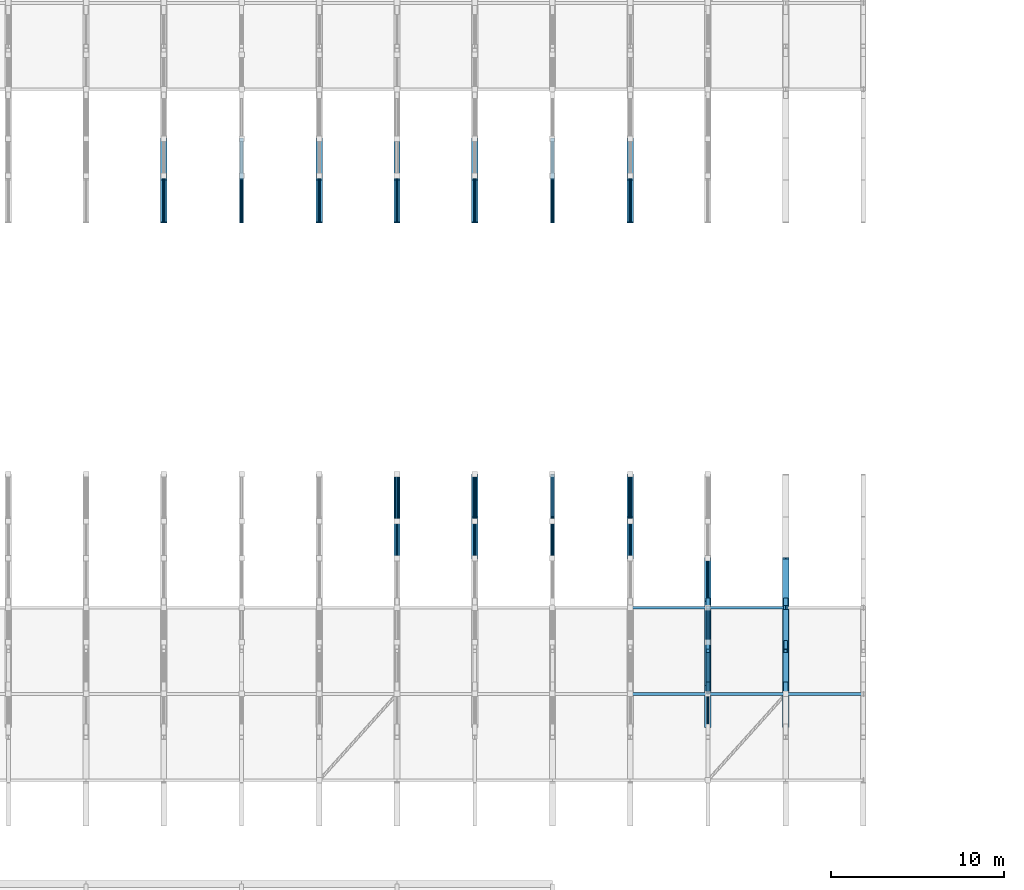
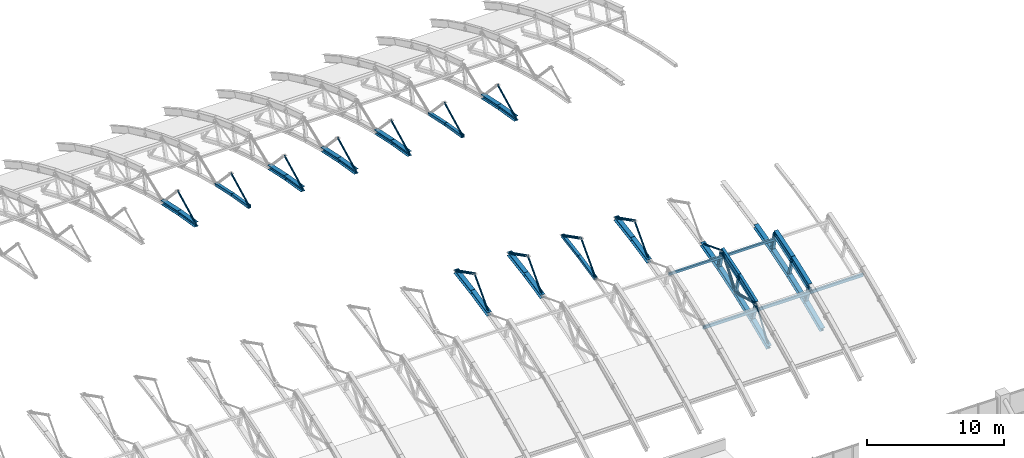
# One storey, part 67 of 103: 60 members, 4 beams.
"""IFC4 building model written with IfcOpenShell, lengths in metres."""

from ifc_helpers import new_model, si_unit, direction, frame, origin, origin_2d, place, context, subcontext, project, spatial, hollow_rectangle, hollow_circle, i_section, extrude, material, material_profile, profile_set, type_object, element, save


model = new_model("IFC4")

# Units and contexts
model_context = context("Model", 3, precision=1e-05, world=origin(), true_north=direction((0.0, 1.0)))
body_context = subcontext(model_context, "Body", "Model", "MODEL_VIEW")
ifc_project = project(units=[si_unit("LENGTHUNIT", "METRE"), si_unit("AREAUNIT", "SQUARE_METRE"), si_unit("VOLUMEUNIT", "CUBIC_METRE"), si_unit("PLANEANGLEUNIT", "RADIAN"), si_unit("MASSUNIT", "GRAM", prefix="KILO")], contexts=[model_context])

# Site, building, storey
site_placement = place(None, origin())
site = spatial("IfcSite", under=ifc_project, at=site_placement, CompositionType="ELEMENT")
building_placement = place(site_placement, origin())
building = spatial("IfcBuilding", under=site, at=building_placement, Name="Cazmaro Siding Exhibition Halls", CompositionType="ELEMENT")
storey_placement = place(building_placement, frame((0.0, 0.0, 16.5)))
storey = spatial("IfcBuildingStorey", under=building, at=storey_placement, Name="L03", CompositionType="ELEMENT", Elevation=16.5)

# Beams
ifc_material_1 = material(Name="Steel ASTM A992 Grade 50", Category="steel")
ifc_material_profile_1 = material_profile(ifc_material_1, i_section(OverallWidth=0.327880859375, OverallDepth=0.626953125, WebThickness=0.01708984375, FlangeThickness=0.028076171875, at=origin_2d()), Name="W24X146")
ifc_profile_set_1 = profile_set([ifc_material_profile_1], Name="Steel ASTM A992 Grade 50")
beam_type_1 = type_object("IfcBeamType", Name="AR-01", PredefinedType="USERDEFINED", material=ifc_profile_set_1)
beam_1_placement = place(storey_placement, frame((166.5, 74.0, 3.1220703125), z_axis=(0.0, 0.936509460339, 0.350642311615), x_axis=(-1.0, 0.0, 0.0)))
element("IfcBeam", 1, at=beam_1_placement, inside=storey, type_object=beam_type_1, Name="Space frame barrel vault arched rib AR-01 BM-1187", ObjectType="ARCHED RIB", PredefinedType="USERDEFINED", context=body_context, shape_type="SweptSolid", body=[
    extrude(i_section(OverallWidth=0.327880859375, OverallDepth=0.626953125, WebThickness=0.01708984375, FlangeThickness=0.028076171875, at=origin_2d()), origin(), (0.0, 0.0, 1.0), 2.66943359375),
])
beam_2_placement = place(storey_placement, frame((166.5, 76.5, 4.05810546875), z_axis=(0.0, 0.952769241759, 0.303695195811), x_axis=(-1.0, 0.0, 0.0)))
element("IfcBeam", 2, at=beam_2_placement, inside=storey, type_object=beam_type_1, Name="Space frame barrel vault arched rib AR-01 BM-1188", ObjectType="ARCHED RIB", PredefinedType="USERDEFINED", context=body_context, shape_type="SweptSolid", body=[
    extrude(i_section(OverallWidth=0.327880859375, OverallDepth=0.626953125, WebThickness=0.01708984375, FlangeThickness=0.028076171875, at=origin_2d()), origin(), (0.0, 0.0, 1.0), 2.6240234375),
])
ifc_material_2 = material(Name="Steel ASTM A992 Grade 50", Category="steel")
ifc_material_profile_2 = material_profile(ifc_material_2, i_section(OverallWidth=0.22900390625, OverallDepth=0.612060546875, WebThickness=0.011962890625, FlangeThickness=0.02001953125, at=origin_2d()), Name="W24X84")
ifc_profile_set_2 = profile_set([ifc_material_profile_2], Name="Steel ASTM A992 Grade 50")
beam_type_2 = type_object("IfcBeamType", Name="AR-03", PredefinedType="USERDEFINED", material=ifc_profile_set_2)
beam_3_placement = place(storey_placement, frame((162.0, 74.0, 3.1220703125), z_axis=(0.0, 0.936509460339, 0.350642311615), x_axis=(-1.0, 0.0, 0.0)))
element("IfcBeam", 3, at=beam_3_placement, inside=storey, type_object=beam_type_2, Name="Space frame barrel vault arched rib AR-03 BM-1163", ObjectType="ARCHED RIB", PredefinedType="USERDEFINED", context=body_context, shape_type="SweptSolid", body=[
    extrude(i_section(OverallWidth=0.22900390625, OverallDepth=0.612060546875, WebThickness=0.011962890625, FlangeThickness=0.02001953125, at=origin_2d()), origin(), (0.0, 0.0, 1.0), 2.66943359375),
])
beam_4_placement = place(storey_placement, frame((162.0, 76.5, 4.05810546875), z_axis=(0.0, 0.952769241759, 0.303695195811), x_axis=(-1.0, 0.0, 0.0)))
element("IfcBeam", 4, at=beam_4_placement, inside=storey, type_object=beam_type_2, Name="Space frame barrel vault arched rib AR-03 BM-1164", ObjectType="ARCHED RIB", PredefinedType="USERDEFINED", context=body_context, shape_type="SweptSolid", body=[
    extrude(i_section(OverallWidth=0.22900390625, OverallDepth=0.612060546875, WebThickness=0.011962890625, FlangeThickness=0.02001953125, at=origin_2d()), origin(), (0.0, 0.0, 1.0), 2.6240234375),
])

# Members
ifc_material_3 = material(Name="Steel ASTM A500 Grade C", Category="steel")
ifc_material_profile_3 = material_profile(ifc_material_3, hollow_rectangle(XDim=0.152099609375, YDim=0.202880859375, WallThickness=0.011962890625, at=origin_2d()), Name="HSS8X6X1/2")
ifc_profile_set_3 = profile_set([ifc_material_profile_3], Name="Steel ASTM A500 Grade C")
member_type_1 = type_object("IfcMemberType", Name="RP-01", PredefinedType="PURLIN", material=ifc_profile_set_3)
for number, where, z_axis, x_axis, name in (
    (5, (157.5, 79.0, 4.31494140625), (1.0, 0.0, 0.0), (0.0, 1.0, 0.0), "Space frame barrel vault purlin RP-01 MEM-2265"),
    (6, (162.0, 79.0, 4.31494140625), (1.0, 0.0, 0.0), (0.0, 1.0, 0.0), "Space frame barrel vault purlin RP-01 MEM-2276"),
):
    element("IfcMember", number, at=place(storey_placement, frame(where, z_axis=z_axis, x_axis=x_axis)), inside=storey, type_object=member_type_1, Name=name, PredefinedType="PURLIN", context=body_context, shape_type="SweptSolid", body=[
        extrude(hollow_rectangle(XDim=0.152099609375, YDim=0.202880859375, WallThickness=0.011962890625, at=origin_2d()), origin(), (0.0, 0.0, 1.0), 4.5),
    ])
ifc_material_4 = material(Name="Steel ASTM A500 Grade C", Category="steel")
ifc_material_profile_4 = material_profile(ifc_material_4, hollow_rectangle(XDim=0.152099609375, YDim=0.25390625, WallThickness=0.011962890625, at=origin_2d()), Name="HSS10X6X1/2")
ifc_profile_set_4 = profile_set([ifc_material_profile_4], Name="Steel ASTM A500 Grade C")
member_type_2 = type_object("IfcMemberType", Name="RP-04", PredefinedType="PURLIN", material=ifc_profile_set_4)
for number, where, z_axis, x_axis, name in (
    (7, (157.5, 74.0, 2.58203125), (1.0, 0.0, 0.0), (0.0, 1.0, 0.0), "Space frame barrel vault purlin RP-04 MEM-2264"),
    (8, (162.0, 74.0, 2.58203125), (1.0, 0.0, 0.0), (0.0, 1.0, 0.0), "Space frame barrel vault purlin RP-04 MEM-2275"),
    (9, (166.5, 74.0, 2.58203125), (1.0, 0.0, 0.0), (0.0, 1.0, 0.0), "Space frame barrel vault purlin RP-04 MEM-2292"),
):
    element("IfcMember", number, at=place(storey_placement, frame(where, z_axis=z_axis, x_axis=x_axis)), inside=storey, type_object=member_type_2, Name=name, PredefinedType="PURLIN", context=body_context, shape_type="SweptSolid", body=[
        extrude(hollow_rectangle(XDim=0.152099609375, YDim=0.25390625, WallThickness=0.011962890625, at=origin_2d()), origin(), (0.0, 0.0, 1.0), 4.5),
    ])
ifc_material_5 = material(Name="Steel ASTM A500 Grade C", Category="steel")
ifc_material_profile_5 = material_profile(ifc_material_5, hollow_rectangle(XDim=0.25390625, YDim=0.25390625, WallThickness=0.014892578125, at=origin_2d()), Name="HSS10X10X5/8")
ifc_profile_set_5 = profile_set([ifc_material_profile_5], Name="Steel ASTM A500 Grade C")
member_type_3 = type_object("IfcMemberType", Name="TC-01", PredefinedType="CHORD", material=ifc_profile_set_5)
member_1_placement = place(storey_placement, frame((135.0, 101.2900390625, 4.68701171875), z_axis=(0.0, 0.986455464336, -0.164029317138), x_axis=(-1.0, 0.0, 0.0)))
element("IfcMember", 10, at=member_1_placement, inside=storey, type_object=member_type_3, Name="Space frame barrel vault bottom chord TC-01 MEM-1403", PredefinedType="CHORD", context=body_context, shape_type="SweptSolid", body=[
    extrude(hollow_rectangle(XDim=0.25390625, YDim=0.25390625, WallThickness=0.014892578125, at=origin_2d()), origin(), (0.0, 0.0, 1.0), 2.46337890625),
])
for number, where, z_axis, x_axis, name in (
    (11, (135.0, 103.719970703125, 4.282958984375), (0.0, 0.977697351532, -0.210018782033), (-1.0, 0.0, 0.0), "Space frame barrel vault bottom chord TC-01 MEM-1405"),
    (12, (153.0, 81.85009765625, 3.760986328125), (0.0, 0.977697351532, 0.210018782033), (-1.0, 0.0, 0.0), "Space frame barrel vault bottom chord TC-01 MEM-1671"),
):
    element("IfcMember", number, at=place(storey_placement, frame(where, z_axis=z_axis, x_axis=x_axis)), inside=storey, type_object=member_type_3, Name=name, PredefinedType="CHORD", context=body_context, shape_type="SweptSolid", body=[
        extrude(hollow_rectangle(XDim=0.25390625, YDim=0.25390625, WallThickness=0.014892578125, at=origin_2d()), origin(), (0.0, 0.0, 1.0), 2.4853515625),
    ])
for number, where, z_axis, x_axis, name in (
    (13, (153.0, 84.280029296875, 4.282958984375), (0.0, 0.986455464336, 0.164029317138), (-1.0, 0.0, 0.0), "Space frame barrel vault bottom chord TC-01 MEM-1673"),
    (14, (153.0, 101.2900390625, 4.68701171875), (0.0, 0.986455464336, -0.164029317138), (-1.0, 0.0, 0.0), "Space frame barrel vault bottom chord TC-01 MEM-1687"),
):
    element("IfcMember", number, at=place(storey_placement, frame(where, z_axis=z_axis, x_axis=x_axis)), inside=storey, type_object=member_type_3, Name=name, PredefinedType="CHORD", context=body_context, shape_type="SweptSolid", body=[
        extrude(hollow_rectangle(XDim=0.25390625, YDim=0.25390625, WallThickness=0.014892578125, at=origin_2d()), origin(), (0.0, 0.0, 1.0), 2.46337890625),
    ])
member_2_placement = place(storey_placement, frame((153.0, 103.719970703125, 4.282958984375), z_axis=(0.0, 0.977697351532, -0.210018782033), x_axis=(-1.0, 0.0, 0.0)))
element("IfcMember", 15, at=member_2_placement, inside=storey, type_object=member_type_3, Name="Space frame barrel vault bottom chord TC-01 MEM-1689", PredefinedType="CHORD", context=body_context, shape_type="SweptSolid", body=[
    extrude(hollow_rectangle(XDim=0.25390625, YDim=0.25390625, WallThickness=0.014892578125, at=origin_2d()), origin(), (0.0, 0.0, 1.0), 2.4853515625),
])
ifc_material_6 = material(Name="Steel ASTM A992 Grade 50", Category="steel")
ifc_material_profile_6 = material_profile(ifc_material_6, i_section(OverallWidth=0.37109375, OverallDepth=0.364013671875, WebThickness=0.012939453125, FlangeThickness=0.02197265625, at=origin_2d()), Name="W14X109")
ifc_profile_set_6 = profile_set([ifc_material_profile_6], Name="Steel ASTM A992 Grade 50")
member_type_4 = type_object("IfcMemberType", Name="TC-06", PredefinedType="CHORD", material=ifc_profile_set_6)
member_3_placement = place(storey_placement, frame((130.5, 101.2900390625, 4.68701171875), z_axis=(0.0, 0.986455464336, -0.164029317138), x_axis=(-1.0, 0.0, 0.0)))
element("IfcMember", 16, at=member_3_placement, inside=storey, type_object=member_type_4, Name="Space frame barrel vault bottom chord TC-06 MEM-1332", PredefinedType="CHORD", context=body_context, shape_type="SweptSolid", body=[
    extrude(i_section(OverallWidth=0.37109375, OverallDepth=0.364013671875, WebThickness=0.012939453125, FlangeThickness=0.02197265625, at=origin_2d()), origin(), (0.0, 0.0, 1.0), 2.46337890625),
])
member_4_placement = place(storey_placement, frame((130.5, 103.719970703125, 4.282958984375), z_axis=(0.0, 0.977697351532, -0.210018782033), x_axis=(-1.0, 0.0, 0.0)))
element("IfcMember", 17, at=member_4_placement, inside=storey, type_object=member_type_4, Name="Space frame barrel vault bottom chord TC-06 MEM-1334", PredefinedType="CHORD", context=body_context, shape_type="SweptSolid", body=[
    extrude(i_section(OverallWidth=0.37109375, OverallDepth=0.364013671875, WebThickness=0.012939453125, FlangeThickness=0.02197265625, at=origin_2d()), origin(), (0.0, 0.0, 1.0), 2.4853515625),
])
member_5_placement = place(storey_placement, frame((139.5, 101.2900390625, 4.68701171875), z_axis=(0.0, 0.986455464336, -0.164029317138), x_axis=(-1.0, 0.0, 0.0)))
element("IfcMember", 18, at=member_5_placement, inside=storey, type_object=member_type_4, Name="Space frame barrel vault bottom chord TC-06 MEM-1474", PredefinedType="CHORD", context=body_context, shape_type="SweptSolid", body=[
    extrude(i_section(OverallWidth=0.37109375, OverallDepth=0.364013671875, WebThickness=0.012939453125, FlangeThickness=0.02197265625, at=origin_2d()), origin(), (0.0, 0.0, 1.0), 2.46337890625),
])
for number, where, z_axis, x_axis, name in (
    (19, (139.5, 103.719970703125, 4.282958984375), (0.0, 0.977697351532, -0.210018782033), (-1.0, 0.0, 0.0), "Space frame barrel vault bottom chord TC-06 MEM-1476"),
    (20, (144.0, 81.85009765625, 3.760986328125), (0.0, 0.977697351532, 0.210018782033), (-1.0, 0.0, 0.0), "Space frame barrel vault bottom chord TC-06 MEM-1529"),
):
    element("IfcMember", number, at=place(storey_placement, frame(where, z_axis=z_axis, x_axis=x_axis)), inside=storey, type_object=member_type_4, Name=name, PredefinedType="CHORD", context=body_context, shape_type="SweptSolid", body=[
        extrude(i_section(OverallWidth=0.37109375, OverallDepth=0.364013671875, WebThickness=0.012939453125, FlangeThickness=0.02197265625, at=origin_2d()), origin(), (0.0, 0.0, 1.0), 2.4853515625),
    ])
for number, where, z_axis, x_axis, name in (
    (21, (144.0, 84.280029296875, 4.282958984375), (0.0, 0.986455464336, 0.164029317138), (-1.0, 0.0, 0.0), "Space frame barrel vault bottom chord TC-06 MEM-1531"),
    (22, (144.0, 101.2900390625, 4.68701171875), (0.0, 0.986455464336, -0.164029317138), (-1.0, 0.0, 0.0), "Space frame barrel vault bottom chord TC-06 MEM-1545"),
):
    element("IfcMember", number, at=place(storey_placement, frame(where, z_axis=z_axis, x_axis=x_axis)), inside=storey, type_object=member_type_4, Name=name, PredefinedType="CHORD", context=body_context, shape_type="SweptSolid", body=[
        extrude(i_section(OverallWidth=0.37109375, OverallDepth=0.364013671875, WebThickness=0.012939453125, FlangeThickness=0.02197265625, at=origin_2d()), origin(), (0.0, 0.0, 1.0), 2.46337890625),
    ])
for number, where, z_axis, x_axis, name in (
    (23, (144.0, 103.719970703125, 4.282958984375), (0.0, 0.977697351532, -0.210018782033), (-1.0, 0.0, 0.0), "Space frame barrel vault bottom chord TC-06 MEM-1547"),
    (24, (148.5, 81.85009765625, 3.760986328125), (0.0, 0.977697351532, 0.210018782033), (-1.0, 0.0, 0.0), "Space frame barrel vault bottom chord TC-06 MEM-1600"),
):
    element("IfcMember", number, at=place(storey_placement, frame(where, z_axis=z_axis, x_axis=x_axis)), inside=storey, type_object=member_type_4, Name=name, PredefinedType="CHORD", context=body_context, shape_type="SweptSolid", body=[
        extrude(i_section(OverallWidth=0.37109375, OverallDepth=0.364013671875, WebThickness=0.012939453125, FlangeThickness=0.02197265625, at=origin_2d()), origin(), (0.0, 0.0, 1.0), 2.4853515625),
    ])
for number, where, z_axis, x_axis, name in (
    (25, (148.5, 84.280029296875, 4.282958984375), (0.0, 0.986455464336, 0.164029317138), (-1.0, 0.0, 0.0), "Space frame barrel vault bottom chord TC-06 MEM-1602"),
    (26, (148.5, 101.2900390625, 4.68701171875), (0.0, 0.986455464336, -0.164029317138), (-1.0, 0.0, 0.0), "Space frame barrel vault bottom chord TC-06 MEM-1616"),
):
    element("IfcMember", number, at=place(storey_placement, frame(where, z_axis=z_axis, x_axis=x_axis)), inside=storey, type_object=member_type_4, Name=name, PredefinedType="CHORD", context=body_context, shape_type="SweptSolid", body=[
        extrude(i_section(OverallWidth=0.37109375, OverallDepth=0.364013671875, WebThickness=0.012939453125, FlangeThickness=0.02197265625, at=origin_2d()), origin(), (0.0, 0.0, 1.0), 2.46337890625),
    ])
for number, where, z_axis, x_axis, name in (
    (27, (148.5, 103.719970703125, 4.282958984375), (0.0, 0.977697351532, -0.210018782033), (-1.0, 0.0, 0.0), "Space frame barrel vault bottom chord TC-06 MEM-1618"),
    (28, (157.5, 81.85009765625, 3.760986328125), (0.0, 0.977697351532, 0.210018782033), (-1.0, 0.0, 0.0), "Space frame barrel vault bottom chord TC-06 MEM-1742"),
):
    element("IfcMember", number, at=place(storey_placement, frame(where, z_axis=z_axis, x_axis=x_axis)), inside=storey, type_object=member_type_4, Name=name, PredefinedType="CHORD", context=body_context, shape_type="SweptSolid", body=[
        extrude(i_section(OverallWidth=0.37109375, OverallDepth=0.364013671875, WebThickness=0.012939453125, FlangeThickness=0.02197265625, at=origin_2d()), origin(), (0.0, 0.0, 1.0), 2.4853515625),
    ])
for number, where, z_axis, x_axis, name in (
    (29, (157.5, 84.280029296875, 4.282958984375), (0.0, 0.986455464336, 0.164029317138), (-1.0, 0.0, 0.0), "Space frame barrel vault bottom chord TC-06 MEM-1744"),
    (30, (157.5, 101.2900390625, 4.68701171875), (0.0, 0.986455464336, -0.164029317138), (-1.0, 0.0, 0.0), "Space frame barrel vault bottom chord TC-06 MEM-1758"),
):
    element("IfcMember", number, at=place(storey_placement, frame(where, z_axis=z_axis, x_axis=x_axis)), inside=storey, type_object=member_type_4, Name=name, PredefinedType="CHORD", context=body_context, shape_type="SweptSolid", body=[
        extrude(i_section(OverallWidth=0.37109375, OverallDepth=0.364013671875, WebThickness=0.012939453125, FlangeThickness=0.02197265625, at=origin_2d()), origin(), (0.0, 0.0, 1.0), 2.46337890625),
    ])
member_6_placement = place(storey_placement, frame((157.5, 103.719970703125, 4.282958984375), z_axis=(0.0, 0.977697351532, -0.210018782033), x_axis=(-1.0, 0.0, 0.0)))
element("IfcMember", 31, at=member_6_placement, inside=storey, type_object=member_type_4, Name="Space frame barrel vault bottom chord TC-06 MEM-1760", PredefinedType="CHORD", context=body_context, shape_type="SweptSolid", body=[
    extrude(i_section(OverallWidth=0.37109375, OverallDepth=0.364013671875, WebThickness=0.012939453125, FlangeThickness=0.02197265625, at=origin_2d()), origin(), (0.0, 0.0, 1.0), 2.4853515625),
])
member_7_placement = place(storey_placement, frame((162.0, 72.131103515625, 0.37890625), z_axis=(0.0, 0.917689003843, 0.397299499403), x_axis=(-1.0, 0.0, 0.0)))
element("IfcMember", 32, at=member_7_placement, inside=storey, type_object=member_type_4, Name="Space frame barrel vault bottom chord TC-06 MEM-1805", PredefinedType="CHORD", context=body_context, shape_type="SweptSolid", body=[
    extrude(i_section(OverallWidth=0.37109375, OverallDepth=0.364013671875, WebThickness=0.012939453125, FlangeThickness=0.02197265625, at=origin_2d()), origin(), (0.0, 0.0, 1.0), 2.64794921875),
])
member_8_placement = place(storey_placement, frame((162.0, 74.56103515625, 1.430908203125), z_axis=(0.0, 0.936588022869, 0.350432412053), x_axis=(-1.0, 0.0, 0.0)))
element("IfcMember", 33, at=member_8_placement, inside=storey, type_object=member_type_4, Name="Space frame barrel vault bottom chord TC-06 MEM-1807", PredefinedType="CHORD", context=body_context, shape_type="SweptSolid", body=[
    extrude(i_section(OverallWidth=0.37109375, OverallDepth=0.364013671875, WebThickness=0.012939453125, FlangeThickness=0.02197265625, at=origin_2d()), origin(), (0.0, 0.0, 1.0), 2.594482421875),
])
member_9_placement = place(storey_placement, frame((162.0, 76.990966796875, 2.340087890625), z_axis=(0.0, 0.952692842525, 0.303934775573), x_axis=(-1.0, 0.0, 0.0)))
element("IfcMember", 34, at=member_9_placement, inside=storey, type_object=member_type_4, Name="Space frame barrel vault bottom chord TC-06 MEM-1809", PredefinedType="CHORD", context=body_context, shape_type="SweptSolid", body=[
    extrude(i_section(OverallWidth=0.37109375, OverallDepth=0.364013671875, WebThickness=0.012939453125, FlangeThickness=0.02197265625, at=origin_2d()), origin(), (0.0, 0.0, 1.0), 2.549560546875),
])
member_10_placement = place(storey_placement, frame((162.0, 79.419921875, 3.114990234375), z_axis=(0.0, 0.966437683387, 0.256901156343), x_axis=(-1.0, 0.0, 0.0)))
element("IfcMember", 35, at=member_10_placement, inside=storey, type_object=member_type_4, Name="Space frame barrel vault bottom chord TC-06 MEM-1811", PredefinedType="CHORD", context=body_context, shape_type="SweptSolid", body=[
    extrude(i_section(OverallWidth=0.37109375, OverallDepth=0.364013671875, WebThickness=0.012939453125, FlangeThickness=0.02197265625, at=origin_2d()), origin(), (0.0, 0.0, 1.0), 2.5146484375),
])
member_11_placement = place(storey_placement, frame((166.5, 72.131103515625, 0.37890625), z_axis=(0.0, 0.917689003843, 0.397299499403), x_axis=(-1.0, 0.0, 0.0)))
element("IfcMember", 36, at=member_11_placement, inside=storey, type_object=member_type_4, Name="Space frame barrel vault bottom chord TC-06 MEM-1873", PredefinedType="CHORD", context=body_context, shape_type="SweptSolid", body=[
    extrude(i_section(OverallWidth=0.37109375, OverallDepth=0.364013671875, WebThickness=0.012939453125, FlangeThickness=0.02197265625, at=origin_2d()), origin(), (0.0, 0.0, 1.0), 2.64794921875),
])
member_12_placement = place(storey_placement, frame((166.5, 74.56103515625, 1.430908203125), z_axis=(0.0, 0.936588022869, 0.350432412053), x_axis=(-1.0, 0.0, 0.0)))
element("IfcMember", 37, at=member_12_placement, inside=storey, type_object=member_type_4, Name="Space frame barrel vault bottom chord TC-06 MEM-1874", PredefinedType="CHORD", context=body_context, shape_type="SweptSolid", body=[
    extrude(i_section(OverallWidth=0.37109375, OverallDepth=0.364013671875, WebThickness=0.012939453125, FlangeThickness=0.02197265625, at=origin_2d()), origin(), (0.0, 0.0, 1.0), 2.594482421875),
])
member_13_placement = place(storey_placement, frame((166.5, 76.990966796875, 2.340087890625), z_axis=(0.0, 0.952692842525, 0.303934775573), x_axis=(-1.0, 0.0, 0.0)))
element("IfcMember", 38, at=member_13_placement, inside=storey, type_object=member_type_4, Name="Space frame barrel vault bottom chord TC-06 MEM-1875", PredefinedType="CHORD", context=body_context, shape_type="SweptSolid", body=[
    extrude(i_section(OverallWidth=0.37109375, OverallDepth=0.364013671875, WebThickness=0.012939453125, FlangeThickness=0.02197265625, at=origin_2d()), origin(), (0.0, 0.0, 1.0), 2.549560546875),
])
member_14_placement = place(storey_placement, frame((166.5, 79.419921875, 3.114990234375), z_axis=(0.0, 0.966437683387, 0.256901156343), x_axis=(-1.0, 0.0, 0.0)))
element("IfcMember", 39, at=member_14_placement, inside=storey, type_object=member_type_4, Name="Space frame barrel vault bottom chord TC-06 MEM-1876", PredefinedType="CHORD", context=body_context, shape_type="SweptSolid", body=[
    extrude(i_section(OverallWidth=0.37109375, OverallDepth=0.364013671875, WebThickness=0.012939453125, FlangeThickness=0.02197265625, at=origin_2d()), origin(), (0.0, 0.0, 1.0), 2.5146484375),
])
ifc_material_7 = material(Name="Steel ASTM A500 Grade C", Category="steel")
ifc_material_profile_7 = material_profile(ifc_material_7, hollow_rectangle(XDim=0.202880859375, YDim=0.202880859375, WallThickness=0.011962890625, at=origin_2d()), Name="HSS8X8X1/2")
ifc_profile_set_7 = profile_set([ifc_material_profile_7], Name="Steel ASTM A500 Grade C")
member_type_5 = type_object("IfcMemberType", Name="TP-01", PredefinedType="POST", material=ifc_profile_set_7)
for number, where, z_axis, x_axis, name in (
    (40, (162.0, 76.990966796875, 2.340087890625), (0.0, -0.274775266308, 0.961508477875), (1.0, 0.0, 0.0), "Space frame barrel vault post TP-01 MEM-1851"),
    (41, (166.5, 76.990966796875, 2.340087890625), (0.0, -0.274775266308, 0.961508477875), (1.0, 0.0, 0.0), "Space frame barrel vault post TP-01 MEM-1898"),
):
    element("IfcMember", number, at=place(storey_placement, frame(where, z_axis=z_axis, x_axis=x_axis)), inside=storey, type_object=member_type_5, Name=name, PredefinedType="POST", context=body_context, shape_type="SweptSolid", body=[
        extrude(hollow_rectangle(XDim=0.202880859375, YDim=0.202880859375, WallThickness=0.011962890625, at=origin_2d()), origin(), (0.0, 0.0, 1.0), 1.786865234375),
    ])
ifc_material_8 = material(Name="Steel ASTM A992 Grade 50", Category="steel")
ifc_material_profile_8 = material_profile(ifc_material_8, i_section(OverallWidth=0.25390625, OverallDepth=0.25390625, WebThickness=0.009033203125, FlangeThickness=0.013916015625, at=origin_2d()), Name="W10X49")
ifc_profile_set_8 = profile_set([ifc_material_profile_8], Name="Steel ASTM A992 Grade 50")
member_type_6 = type_object("IfcMemberType", Name="TP-04", PredefinedType="POST", material=ifc_profile_set_8)
member_15_placement = place(storey_placement, frame((162.0, 74.56103515625, 1.430908203125), z_axis=(0.0, -0.314870949103, 0.949134492794), x_axis=(1.0, 0.0, 0.0)))
element("IfcMember", 42, at=member_15_placement, inside=storey, type_object=member_type_6, Name="Space frame barrel vault post TP-04 MEM-1850", PredefinedType="POST", context=body_context, shape_type="SweptSolid", body=[
    extrude(i_section(OverallWidth=0.25390625, OverallDepth=0.25390625, WebThickness=0.009033203125, FlangeThickness=0.013916015625, at=origin_2d()), origin(), (0.0, 0.0, 1.0), 1.78173828125),
])
member_16_placement = place(storey_placement, frame((162.0, 79.419921875, 3.114990234375), z_axis=(0.0, -0.234600533729, 0.972091862724), x_axis=(1.0, 0.0, 0.0)))
element("IfcMember", 43, at=member_16_placement, inside=storey, type_object=member_type_6, Name="Space frame barrel vault post TP-04 MEM-1852", PredefinedType="POST", context=body_context, shape_type="SweptSolid", body=[
    extrude(i_section(OverallWidth=0.25390625, OverallDepth=0.25390625, WebThickness=0.009033203125, FlangeThickness=0.013916015625, at=origin_2d()), origin(), (0.0, 0.0, 1.0), 1.7900390625),
])
member_17_placement = place(storey_placement, frame((166.5, 74.56103515625, 1.430908203125), z_axis=(0.0, -0.314870949103, 0.949134492794), x_axis=(1.0, 0.0, 0.0)))
element("IfcMember", 44, at=member_17_placement, inside=storey, type_object=member_type_6, Name="Space frame barrel vault post TP-04 MEM-1897", PredefinedType="POST", context=body_context, shape_type="SweptSolid", body=[
    extrude(i_section(OverallWidth=0.25390625, OverallDepth=0.25390625, WebThickness=0.009033203125, FlangeThickness=0.013916015625, at=origin_2d()), origin(), (0.0, 0.0, 1.0), 1.78173828125),
])
member_18_placement = place(storey_placement, frame((166.5, 79.419921875, 3.114990234375), z_axis=(0.0, -0.234600533729, 0.972091862724), x_axis=(1.0, 0.0, 0.0)))
element("IfcMember", 45, at=member_18_placement, inside=storey, type_object=member_type_6, Name="Space frame barrel vault post TP-04 MEM-1899", PredefinedType="POST", context=body_context, shape_type="SweptSolid", body=[
    extrude(i_section(OverallWidth=0.25390625, OverallDepth=0.25390625, WebThickness=0.009033203125, FlangeThickness=0.013916015625, at=origin_2d()), origin(), (0.0, 0.0, 1.0), 1.7900390625),
])
ifc_material_9 = material(Name="Steel ASTM A500 Grade C", Category="steel")
ifc_material_profile_9 = material_profile(ifc_material_9, hollow_circle(Radius=0.109619140625, WallThickness=0.012939453125, at=origin_2d()), Name="PIPE8XS")
ifc_profile_set_9 = profile_set([ifc_material_profile_9], Name="Steel ASTM A500 Grade C")
member_type_7 = type_object("IfcMemberType", Name="WB-01", PredefinedType="BRACE", material=ifc_profile_set_9)
for number, where, z_axis, x_axis, name in (
    (46, (144.0, 84.0, 6.056884765625), (0.0, 0.892456788218, -0.451132886369), (-1.0, 0.0, 0.0), "Space frame barrel vault diagonal WB-01 MEM-1532"),
    (47, (148.5, 84.0, 6.056884765625), (0.0, 0.892456788218, -0.451132886369), (-1.0, 0.0, 0.0), "Space frame barrel vault diagonal WB-01 MEM-1603"),
    (48, (153.0, 84.0, 6.056884765625), (0.0, 0.892456788218, -0.451132886369), (-1.0, 0.0, 0.0), "Space frame barrel vault diagonal WB-01 MEM-1674"),
    (49, (157.5, 84.0, 6.056884765625), (0.0, 0.892456788218, -0.451132886369), (-1.0, 0.0, 0.0), "Space frame barrel vault diagonal WB-01 MEM-1745"),
):
    element("IfcMember", number, at=place(storey_placement, frame(where, z_axis=z_axis, x_axis=x_axis)), inside=storey, type_object=member_type_7, Name=name, PredefinedType="BRACE", context=body_context, shape_type="SweptSolid", body=[
        extrude(hollow_circle(Radius=0.109619140625, WallThickness=0.012939453125, at=origin_2d()), origin(), (0.0, 0.0, 1.0), 3.03662109375),
    ])
member_19_placement = place(storey_placement, frame((162.0, 74.0, 3.1220703125), z_axis=(0.0, 0.967480432857, -0.252945867802), x_axis=(-1.0, 0.0, 0.0)))
element("IfcMember", 50, at=member_19_placement, inside=storey, type_object=member_type_7, Name="Space frame barrel vault diagonal WB-01 MEM-1808", PredefinedType="BRACE", context=body_context, shape_type="SweptSolid", body=[
    extrude(hollow_circle(Radius=0.109619140625, WallThickness=0.012939453125, at=origin_2d()), origin(), (0.0, 0.0, 1.0), 3.091552734375),
])
member_20_placement = place(storey_placement, frame((162.0, 76.990966796875, 2.340087890625), z_axis=(0.0, 0.624149162907, 0.781305204412), x_axis=(-1.0, 0.0, 0.0)))
element("IfcMember", 51, at=member_20_placement, inside=storey, type_object=member_type_7, Name="Space frame barrel vault diagonal WB-01 MEM-1810", PredefinedType="BRACE", context=body_context, shape_type="SweptSolid", body=[
    extrude(hollow_circle(Radius=0.109619140625, WallThickness=0.012939453125, at=origin_2d()), origin(), (0.0, 0.0, 1.0), 3.21875),
])
ifc_material_10 = material(Name="Steel ASTM A500 Grade C", Category="steel")
ifc_material_profile_10 = material_profile(ifc_material_10, hollow_circle(Radius=0.070556640625, WallThickness=0.01904296875, at=origin_2d()), Name="PIPE5XXS")
ifc_profile_set_10 = profile_set([ifc_material_profile_10], Name="Steel ASTM A500 Grade C")
member_type_8 = type_object("IfcMemberType", Name="WB-07", PredefinedType="BRACE", material=ifc_profile_set_10)
for number, where, z_axis, x_axis, name in (
    (52, (130.5, 101.2900390625, 4.68701171875), (0.0, 0.892456788218, 0.451132886369), (-1.0, 0.0, 0.0), "Space frame barrel vault diagonal WB-07 MEM-1333"),
    (53, (135.0, 101.2900390625, 4.68701171875), (0.0, 0.892456788218, 0.451132886369), (-1.0, 0.0, 0.0), "Space frame barrel vault diagonal WB-07 MEM-1404"),
    (54, (139.5, 101.2900390625, 4.68701171875), (0.0, 0.892456788218, 0.451132886369), (-1.0, 0.0, 0.0), "Space frame barrel vault diagonal WB-07 MEM-1475"),
):
    element("IfcMember", number, at=place(storey_placement, frame(where, z_axis=z_axis, x_axis=x_axis)), inside=storey, type_object=member_type_8, Name=name, PredefinedType="BRACE", context=body_context, shape_type="SweptSolid", body=[
        extrude(hollow_circle(Radius=0.070556640625, WallThickness=0.01904296875, at=origin_2d()), origin(), (0.0, 0.0, 1.0), 3.03662109375),
    ])
member_21_placement = place(storey_placement, frame((144.0, 81.85009765625, 3.760986328125), z_axis=(0.0, 0.683517575744, 0.729934054315), x_axis=(-1.0, 0.0, 0.0)))
element("IfcMember", 55, at=member_21_placement, inside=storey, type_object=member_type_8, Name="Space frame barrel vault diagonal WB-07 MEM-1530", PredefinedType="BRACE", context=body_context, shape_type="SweptSolid", body=[
    extrude(hollow_circle(Radius=0.070556640625, WallThickness=0.01904296875, at=origin_2d()), origin(), (0.0, 0.0, 1.0), 3.145263671875),
])
member_22_placement = place(storey_placement, frame((144.0, 101.2900390625, 4.68701171875), z_axis=(0.0, 0.892456788218, 0.451132886369), x_axis=(-1.0, 0.0, 0.0)))
element("IfcMember", 56, at=member_22_placement, inside=storey, type_object=member_type_8, Name="Space frame barrel vault diagonal WB-07 MEM-1546", PredefinedType="BRACE", context=body_context, shape_type="SweptSolid", body=[
    extrude(hollow_circle(Radius=0.070556640625, WallThickness=0.01904296875, at=origin_2d()), origin(), (0.0, 0.0, 1.0), 3.03662109375),
])
member_23_placement = place(storey_placement, frame((148.5, 81.85009765625, 3.760986328125), z_axis=(0.0, 0.683517575744, 0.729934054315), x_axis=(-1.0, 0.0, 0.0)))
element("IfcMember", 57, at=member_23_placement, inside=storey, type_object=member_type_8, Name="Space frame barrel vault diagonal WB-07 MEM-1601", PredefinedType="BRACE", context=body_context, shape_type="SweptSolid", body=[
    extrude(hollow_circle(Radius=0.070556640625, WallThickness=0.01904296875, at=origin_2d()), origin(), (0.0, 0.0, 1.0), 3.145263671875),
])
member_24_placement = place(storey_placement, frame((148.5, 101.2900390625, 4.68701171875), z_axis=(0.0, 0.892456788218, 0.451132886369), x_axis=(-1.0, 0.0, 0.0)))
element("IfcMember", 58, at=member_24_placement, inside=storey, type_object=member_type_8, Name="Space frame barrel vault diagonal WB-07 MEM-1617", PredefinedType="BRACE", context=body_context, shape_type="SweptSolid", body=[
    extrude(hollow_circle(Radius=0.070556640625, WallThickness=0.01904296875, at=origin_2d()), origin(), (0.0, 0.0, 1.0), 3.03662109375),
])
member_25_placement = place(storey_placement, frame((153.0, 81.85009765625, 3.760986328125), z_axis=(0.0, 0.683517575744, 0.729934054315), x_axis=(-1.0, 0.0, 0.0)))
element("IfcMember", 59, at=member_25_placement, inside=storey, type_object=member_type_8, Name="Space frame barrel vault diagonal WB-07 MEM-1672", PredefinedType="BRACE", context=body_context, shape_type="SweptSolid", body=[
    extrude(hollow_circle(Radius=0.070556640625, WallThickness=0.01904296875, at=origin_2d()), origin(), (0.0, 0.0, 1.0), 3.145263671875),
])
member_26_placement = place(storey_placement, frame((153.0, 101.2900390625, 4.68701171875), z_axis=(0.0, 0.892456788218, 0.451132886369), x_axis=(-1.0, 0.0, 0.0)))
element("IfcMember", 60, at=member_26_placement, inside=storey, type_object=member_type_8, Name="Space frame barrel vault diagonal WB-07 MEM-1688", PredefinedType="BRACE", context=body_context, shape_type="SweptSolid", body=[
    extrude(hollow_circle(Radius=0.070556640625, WallThickness=0.01904296875, at=origin_2d()), origin(), (0.0, 0.0, 1.0), 3.03662109375),
])
member_27_placement = place(storey_placement, frame((157.5, 81.85009765625, 3.760986328125), z_axis=(0.0, 0.683517575744, 0.729934054315), x_axis=(-1.0, 0.0, 0.0)))
element("IfcMember", 61, at=member_27_placement, inside=storey, type_object=member_type_8, Name="Space frame barrel vault diagonal WB-07 MEM-1743", PredefinedType="BRACE", context=body_context, shape_type="SweptSolid", body=[
    extrude(hollow_circle(Radius=0.070556640625, WallThickness=0.01904296875, at=origin_2d()), origin(), (0.0, 0.0, 1.0), 3.145263671875),
])
member_28_placement = place(storey_placement, frame((157.5, 101.2900390625, 4.68701171875), z_axis=(0.0, 0.892456788218, 0.451132886369), x_axis=(-1.0, 0.0, 0.0)))
element("IfcMember", 62, at=member_28_placement, inside=storey, type_object=member_type_8, Name="Space frame barrel vault diagonal WB-07 MEM-1759", PredefinedType="BRACE", context=body_context, shape_type="SweptSolid", body=[
    extrude(hollow_circle(Radius=0.070556640625, WallThickness=0.01904296875, at=origin_2d()), origin(), (0.0, 0.0, 1.0), 3.03662109375),
])
member_29_placement = place(storey_placement, frame((162.0, 72.131103515625, 0.37890625), z_axis=(0.0, 0.563040090795, 0.826429583302), x_axis=(-1.0, 0.0, 0.0)))
element("IfcMember", 63, at=member_29_placement, inside=storey, type_object=member_type_8, Name="Space frame barrel vault diagonal WB-07 MEM-1806", PredefinedType="BRACE", context=body_context, shape_type="SweptSolid", body=[
    extrude(hollow_circle(Radius=0.070556640625, WallThickness=0.01904296875, at=origin_2d()), origin(), (0.0, 0.0, 1.0), 3.3193359375),
])
member_30_placement = place(storey_placement, frame((162.0, 79.0, 4.85498046875), z_axis=(0.0, 0.933586546586, -0.358352005761), x_axis=(-1.0, 0.0, 0.0)))
element("IfcMember", 64, at=member_30_placement, inside=storey, type_object=member_type_8, Name="Space frame barrel vault diagonal WB-07 MEM-1812", PredefinedType="BRACE", context=body_context, shape_type="SweptSolid", body=[
    extrude(hollow_circle(Radius=0.070556640625, WallThickness=0.01904296875, at=origin_2d()), origin(), (0.0, 0.0, 1.0), 3.052734375),
])

save(model, "model.ifc")
